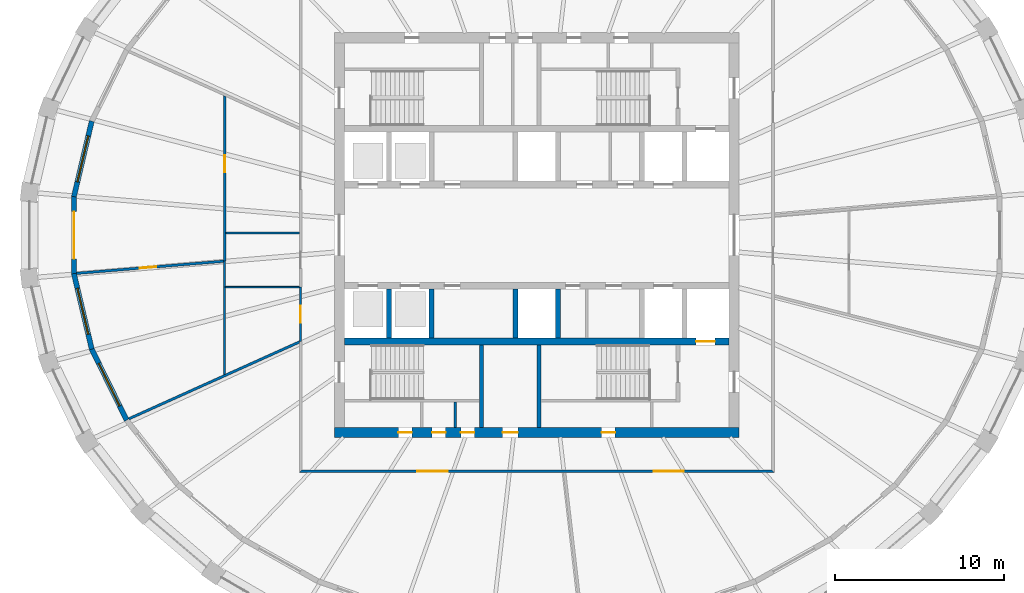
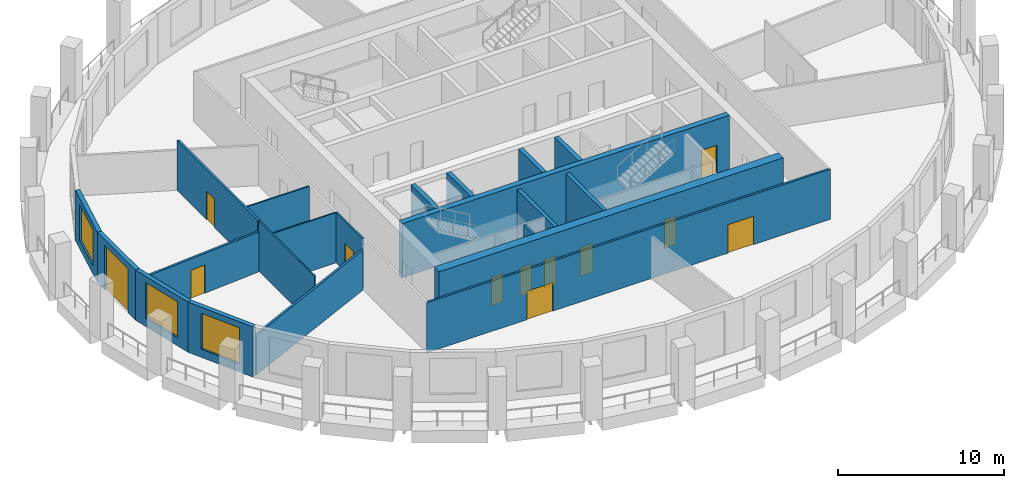
# One storey, part 3 of 10: 21 walls, 12 doors, 3 windows, 15 openings.
"""IFC4 building model written with IfcOpenShell, lengths in metres."""

from ifc_helpers import new_model, si_unit, direction, frame, frame_2d, origin, place, context, subcontext, project, spatial, polyline, rectangle, outline, extrude, material, layer, layer_set, type_object, element, fill, save


model = new_model("IFC4")

# Units and contexts
model_context = context("Model", 3, precision=1e-05, world=origin(), true_north=direction((0.0, 1.0)))
body_context = subcontext(model_context, "Body", "Model", "MODEL_VIEW")
ifc_project = project(units=[si_unit("LENGTHUNIT", "METRE"), si_unit("AREAUNIT", "SQUARE_METRE"), si_unit("VOLUMEUNIT", "CUBIC_METRE"), si_unit("PLANEANGLEUNIT", "RADIAN"), si_unit("MASSUNIT", "GRAM", prefix="KILO")], contexts=[model_context])

# Site, building, storey
site_placement = place(None, origin())
site = spatial("IfcSite", under=ifc_project, at=site_placement, CompositionType="ELEMENT")
building_placement = place(site_placement, origin())
building = spatial("IfcBuilding", under=site, at=building_placement, Name="Halqa Exchange Tower", CompositionType="ELEMENT")
storey_placement = place(building_placement, frame((0.0, 0.0, 260.300048828125)))
storey = spatial("IfcBuildingStorey", under=building, at=storey_placement, Name="L60", CompositionType="ELEMENT", Elevation=260.300048828125)

# Wall, opening, door
ifc_material_1 = material(Name="Gypsum board")
ifc_layer_1 = layer(ifc_material_1, 0.14990234375)
ifc_layer_set_1 = layer_set([ifc_layer_1], Name="Gypsum board")
wall_type_1 = type_object("IfcWallType", Name="Acoustic partition 150", PredefinedType="PARTITIONING", material=ifc_layer_set_1)
wall_1_placement = place(storey_placement, frame((-18.556396484375, -1.544677734375, 0.0), z_axis=(0.0, 0.0, 1.0), x_axis=(-0.996605565352, -0.0823246446, 0.0)))
wall_1 = element("IfcWall", 1, at=wall_1_placement, inside=storey, type_object=wall_type_1, Name="L60-PWL-004", PredefinedType="PARTITIONING", context=body_context, shape_type="SweptSolid", body=[
    extrude(outline(polyline([(8.74560546875, -0.074951171875), (8.74560546875, 0.038818359375), (8.740234375, 0.074951171875), (6.9921875, 0.074951171875), (5.244140625, 0.074951171875), (3.49609375, 0.074951171875), (1.748046875, 0.074951171875), (0.0, 0.074951171875), (0.0, -0.004638671875), (0.01806640625, -0.006103515625), (0.012451171875, -0.074951171875), (1.759033203125, -0.074951171875), (3.505615234375, -0.074951171875), (5.25244140625, -0.074951171875), (6.9990234375, -0.074951171875), (8.74560546875, -0.074951171875)])), origin(), (0.0, 0.0, 1.0), 2.947021484375),
])
opening_1_placement = place(wall_1_placement, frame((3.9990234375, 0.0, 0.0)))
opening_1 = element("IfcOpeningElement", 2, at=opening_1_placement, cuts=wall_1, Name="Opening 18-13", PredefinedType="OPENING", context=body_context, shape_type="SweptSolid", body=[
    extrude(rectangle(XDim=1.0, YDim=2.10009765625, at=frame_2d((0.5, 1.050048828125))), frame((0.0, 0.0869140625, 0.0), z_axis=(0.0, -1.0, 0.0), x_axis=(1.0, 0.0, 0.0)), (0.0, 0.0, 1.0), 0.173828125),
])
ifc_material_2 = material(Name="Timber door leaf", Category="wood")
door_type_1 = type_object("IfcDoorType", Name="Acoustic door 1000 x 2100", OperationType="SINGLE_SWING_LEFT", PredefinedType="DOOR", material=ifc_material_2)
door_1_placement = place(opening_1_placement, origin())
door_1 = element("IfcDoor", 3, at=door_1_placement, inside=storey, type_object=door_type_1, Name="L60-IDR-013", OperationType="SINGLE_SWING_LEFT", OverallHeight=2.10009765625, OverallWidth=1.0, PredefinedType="DOOR", context=body_context, shape_type="SweptSolid", body=[
    extrude(rectangle(XDim=1.0, YDim=2.10009765625, at=frame_2d((0.5, 1.050048828125))), frame((0.0, 0.02490234375, 0.0), z_axis=(0.0, -1.0, 0.0), x_axis=(1.0, 0.0, 0.0)), (0.0, 0.0, 1.0), 0.050048828125),
])
fill(opening_1, door_1)

wall_2_placement = place(storey_placement, frame((-18.5, -1.5400390625, 0.0), z_axis=(0.0, 0.0, 1.0), x_axis=(0.0, 1.0, 0.0)))
wall_2 = element("IfcWall", 4, at=wall_2_placement, inside=storey, type_object=wall_type_1, Name="L60-PWL-005", PredefinedType="PARTITIONING", context=body_context, shape_type="SweptSolid", body=[
    extrude(outline(polyline([(0.0, -0.074951171875), (1.950439453125, -0.074951171875), (3.90087890625, -0.074951171875), (5.851318359375, -0.074951171875), (7.8017578125, -0.074951171875), (9.752197265625, -0.074951171875), (9.819580078125, 0.07421875), (9.819580078125, 0.074951171875), (7.869384765625, 0.074951171875), (5.91943359375, 0.074951171875), (3.96923828125, 0.074951171875), (2.019287109375, 0.074951171875), (0.069091796875, 0.074951171875), (0.070068359375, 0.0625), (0.0, 0.056640625), (0.0, 0.050048828125), (0.0, 0.050048828125), (0.0, -0.050048828125), (0.0, -0.050048828125), (0.0, -0.074951171875)])), origin(), (0.0, 0.0, 1.0), 3.699951171875),
])
opening_2_placement = place(wall_2_placement, frame((5.27001953125, 0.0, 0.0)))
opening_2 = element("IfcOpeningElement", 5, at=opening_2_placement, cuts=wall_2, Name="Opening 18-12", PredefinedType="OPENING", context=body_context, shape_type="SweptSolid", body=[
    extrude(rectangle(XDim=1.0, YDim=2.10009765625, at=frame_2d((0.5, 1.050048828125))), frame((0.0, 0.0869140625, 0.0), z_axis=(0.0, -1.0, 0.0), x_axis=(1.0, 0.0, 0.0)), (0.0, 0.0, 1.0), 0.173828125),
])
door_2_placement = place(opening_2_placement, frame((1.0, 0.0, 0.0), z_axis=(0.0, 0.0, 1.0), x_axis=(-1.0, 0.0, 0.0)))
door_2 = element("IfcDoor", 6, at=door_2_placement, inside=storey, type_object=door_type_1, Name="L60-IDR-012", OperationType="SINGLE_SWING_LEFT", OverallHeight=2.10009765625, OverallWidth=1.0, PredefinedType="DOOR", context=body_context, shape_type="SweptSolid", body=[
    extrude(rectangle(XDim=1.0, YDim=2.10009765625, at=frame_2d((0.5, 1.050048828125))), frame((0.0, 0.02490234375, 0.0), z_axis=(0.0, -1.0, 0.0), x_axis=(1.0, 0.0, 0.0)), (0.0, 0.0, 1.0), 0.050048828125),
])
fill(opening_2, door_2)

# Wall
ifc_material_3 = material(Name="Fire-rated gypsum board")
ifc_layer_2 = layer(ifc_material_3, 0.14990234375)
ifc_layer_set_2 = layer_set([ifc_layer_2], Name="Fire-rated gypsum board")
wall_type_2 = type_object("IfcWallType", Name="Fire partition EI 60 150", PredefinedType="PARTITIONING", material=ifc_layer_set_2)
wall_3_placement = place(storey_placement, frame((-24.17626953125, -10.88671875, 0.0), z_axis=(0.0, 0.0, 1.0), x_axis=(0.9116787738, 0.410903654648, 0.0)))
element("IfcWall", 7, at=wall_3_placement, inside=storey, type_object=wall_type_2, Name="L60-PWL-001", PredefinedType="PARTITIONING", context=body_context, shape_type="SweptSolid", body=[
    extrude(outline(polyline([(0.020751953125, -0.074951171875), (1.8583984375, -0.074951171875), (3.69580078125, -0.074951171875), (5.533447265625, -0.074951171875), (7.37109375, -0.074951171875), (9.20849609375, -0.074951171875), (11.046142578125, -0.074951171875), (11.09375, 0.031005859375), (11.107421875, 0.02490234375), (11.129638671875, 0.073974609375), (11.129638671875, 0.074951171875), (9.524658203125, 0.074951171875), (7.919677734375, 0.074951171875), (6.314697265625, 0.074951171875), (6.314208984375, 0.07373046875), (6.3115234375, 0.074951171875), (4.733642578125, 0.074951171875), (3.15576171875, 0.074951171875), (1.577880859375, 0.074951171875), (0.0, 0.074951171875), (0.0, 0.0625), (0.002197265625, -0.0009765625), (0.020751953125, -0.074951171875)])), origin(), (0.0, 0.0, 1.0), 2.947021484375),
])

# Wall, openings, doors
wall_4_placement = place(storey_placement, frame((-14.074951171875, -14.0, 0.0), z_axis=(0.0, 0.0, 1.0), x_axis=(1.0, 0.0, 0.0)))
wall_4 = element("IfcWall", 8, at=wall_4_placement, inside=storey, type_object=wall_type_2, Name="L60-PWL-007", PredefinedType="PARTITIONING", context=body_context, shape_type="SweptSolid", body=[
    extrude(outline(polyline([(0.0, -0.074951171875), (1.876708984375, -0.074951171875), (3.75341796875, -0.074951171875), (5.6298828125, -0.074951171875), (7.506591796875, -0.074951171875), (9.38330078125, -0.074951171875), (11.260009765625, -0.074951171875), (13.13671875, -0.074951171875), (15.01318359375, -0.074951171875), (16.889892578125, -0.074951171875), (18.7666015625, -0.074951171875), (20.643310546875, -0.074951171875), (22.52001953125, -0.074951171875), (24.396484375, -0.074951171875), (26.273193359375, -0.074951171875), (28.14990234375, -0.074951171875), (28.0, 0.074951171875), (26.0107421875, 0.074951171875), (24.021484375, 0.074951171875), (22.0322265625, 0.074951171875), (20.042724609375, 0.074951171875), (18.053466796875, 0.074951171875), (16.064208984375, 0.074951171875), (14.074951171875, 0.074951171875), (12.085693359375, 0.074951171875), (10.096435546875, 0.074951171875), (8.107177734375, 0.074951171875), (6.11767578125, 0.074951171875), (4.12841796875, 0.074951171875), (2.13916015625, 0.074951171875), (0.14990234375, 0.074951171875), (0.0, -0.074951171875)])), origin(), (0.0, 0.0, 1.0), 3.699951171875),
])
opening_3_placement = place(wall_4_placement, frame((20.9951171875, 0.0, 0.0)))
opening_3 = element("IfcOpeningElement", 9, at=opening_3_placement, cuts=wall_4, Name="Opening 18-01", PredefinedType="OPENING", context=body_context, shape_type="SweptSolid", body=[
    extrude(rectangle(XDim=1.800048828125, YDim=2.10009765625, at=frame_2d((0.89990234375, 1.050048828125))), frame((0.0, 0.0869140625, 0.0), z_axis=(0.0, -1.0, 0.0), x_axis=(1.0, 0.0, 0.0)), (0.0, 0.0, 1.0), 0.173828125),
])
opening_4_placement = place(wall_4_placement, frame((6.9951171875, 0.0, 0.0)))
opening_4 = element("IfcOpeningElement", 10, at=opening_4_placement, cuts=wall_4, Name="Opening 18-10", PredefinedType="OPENING", context=body_context, shape_type="SweptSolid", body=[
    extrude(rectangle(XDim=1.800048828125, YDim=2.10009765625, at=frame_2d((0.89990234375, 1.050048828125))), frame((0.0, 0.0869140625, 0.0), z_axis=(0.0, -1.0, 0.0), x_axis=(1.0, 0.0, 0.0)), (0.0, 0.0, 1.0), 0.173828125),
])
ifc_material_4 = material(Name="Steel fire door leaf", Category="steel")
door_type_2 = type_object("IfcDoorType", Name="Fire door FD30S double 1800 x 2100", OperationType="DOUBLE_DOOR_SINGLE_SWING", PredefinedType="DOOR", material=ifc_material_4)
door_3_placement = place(opening_3_placement, frame((1.800048828125, 0.0, 0.0), z_axis=(0.0, 0.0, 1.0), x_axis=(-1.0, 0.0, 0.0)))
door_3 = element("IfcDoor", 11, at=door_3_placement, inside=storey, type_object=door_type_2, Name="L60-IDR-001", OperationType="DOUBLE_DOOR_SINGLE_SWING", OverallHeight=2.10009765625, OverallWidth=1.800048828125, PredefinedType="DOOR", context=body_context, shape_type="SweptSolid", body=[
    extrude(rectangle(XDim=1.800048828125, YDim=2.10009765625, at=frame_2d((0.89990234375, 1.050048828125))), frame((0.0, 0.02490234375, 0.0), z_axis=(0.0, -1.0, 0.0), x_axis=(1.0, 0.0, 0.0)), (0.0, 0.0, 1.0), 0.050048828125),
])
fill(opening_3, door_3)
door_4_placement = place(opening_4_placement, frame((1.800048828125, 0.0, 0.0), z_axis=(0.0, 0.0, 1.0), x_axis=(-1.0, 0.0, 0.0)))
door_4 = element("IfcDoor", 12, at=door_4_placement, inside=storey, type_object=door_type_2, Name="L60-IDR-010", OperationType="DOUBLE_DOOR_SINGLE_SWING", OverallHeight=2.10009765625, OverallWidth=1.800048828125, PredefinedType="DOOR", context=body_context, shape_type="SweptSolid", body=[
    extrude(rectangle(XDim=1.800048828125, YDim=2.10009765625, at=frame_2d((0.89990234375, 1.050048828125))), frame((0.0, 0.02490234375, 0.0), z_axis=(0.0, -1.0, 0.0), x_axis=(1.0, 0.0, 0.0)), (0.0, 0.0, 1.0), 0.050048828125),
])
fill(opening_4, door_4)

# Wall, opening, door
ifc_material_5 = material(Name="Fire-rated glazing", Category="glass")
ifc_layer_3 = layer(ifc_material_5, 0.1201171875)
ifc_layer_set_3 = layer_set([ifc_layer_3], Name="Fire-rated glazing")
wall_type_3 = type_object("IfcWallType", Name="Glazed fire partition EI 60 120", PredefinedType="PARTITIONING", material=ifc_layer_set_3)
wall_5_placement = place(storey_placement, frame((-14.0, -6.300048828125, 0.0), z_axis=(0.0, 0.0, 1.0), x_axis=(0.0, 1.0, 0.0)))
wall_5 = element("IfcWall", 13, at=wall_5_placement, inside=storey, type_object=wall_type_3, Name="L60-PWL-008", PredefinedType="PARTITIONING", context=body_context, shape_type="SweptSolid", body=[
    extrude(rectangle(XDim=3.219970703125, YDim=0.1201171875, at=frame_2d((1.60986328125, 0.0))), origin(), (0.0, 0.0, 1.0), 3.699951171875),
])
opening_5_placement = place(wall_5_placement, frame((1.110107421875, 0.0, 0.0)))
opening_5 = element("IfcOpeningElement", 14, at=opening_5_placement, cuts=wall_5, Name="Opening 18-09", PredefinedType="OPENING", context=body_context, shape_type="SweptSolid", body=[
    extrude(rectangle(XDim=1.0, YDim=2.10009765625, at=frame_2d((0.5, 1.050048828125))), frame((0.0, 0.072021484375, 0.0), z_axis=(0.0, -1.0, 0.0), x_axis=(1.0, 0.0, 0.0)), (0.0, 0.0, 1.0), 0.14404296875),
])
door_type_3 = type_object("IfcDoorType", Name="Fire door FD30S 1000 x 2100", OperationType="SINGLE_SWING_LEFT", PredefinedType="DOOR", material=ifc_material_4)
door_5_placement = place(opening_5_placement, origin())
door_5 = element("IfcDoor", 15, at=door_5_placement, inside=storey, type_object=door_type_3, Name="L60-IDR-009", OperationType="SINGLE_SWING_LEFT", OverallHeight=2.10009765625, OverallWidth=1.0, PredefinedType="DOOR", context=body_context, shape_type="SweptSolid", body=[
    extrude(rectangle(XDim=1.0, YDim=2.10009765625, at=frame_2d((0.5, 1.050048828125))), frame((0.0, 0.02490234375, 0.0), z_axis=(0.0, -1.0, 0.0), x_axis=(1.0, 0.0, 0.0)), (0.0, 0.0, 1.0), 0.050048828125),
])
fill(opening_5, door_5)

# Walls
ifc_layer_4 = layer(ifc_material_1, 0.10009765625)
ifc_layer_set_4 = layer_set([ifc_layer_4], Name="Gypsum board")
wall_type_4 = type_object("IfcWallType", Name="Partition 100 gypsum", PredefinedType="PARTITIONING", material=ifc_layer_set_4)
wall_6_placement = place(storey_placement, frame((-18.5, -8.26806640625, 0.0), z_axis=(0.0, 0.0, 1.0), x_axis=(0.0, 1.0, 0.0)))
element("IfcWall", 16, at=wall_6_placement, inside=storey, type_object=wall_type_4, Name="L60-PWL-003", PredefinedType="PARTITIONING", context=body_context, shape_type="SweptSolid", body=[
    extrude(outline(polyline([(0.044677734375, -0.050048828125), (1.742431640625, -0.050048828125), (3.440185546875, -0.050048828125), (5.13818359375, -0.050048828125), (5.13818359375, -0.050048828125), (5.238037109375, -0.050048828125), (5.238037109375, -0.050048828125), (6.72802734375, -0.050048828125), (6.72802734375, 0.050048828125), (5.0458984375, 0.050048828125), (3.364013671875, 0.050048828125), (1.68212890625, 0.050048828125), (0.0, 0.050048828125), (0.0, 0.048828125), (0.044677734375, -0.050048828125)])), origin(), (0.0, 0.0, 1.0), 3.699951171875),
])
wall_7_placement = place(storey_placement, frame((-14.060546875, -3.080078125, 0.0), z_axis=(0.0, 0.0, 1.0), x_axis=(-1.0, 0.0, 0.0)))
element("IfcWall", 17, at=wall_7_placement, inside=storey, type_object=wall_type_4, Name="L60-PWL-009", PredefinedType="PARTITIONING", context=body_context, shape_type="SweptSolid", body=[
    extrude(outline(polyline([(0.0, 0.050048828125), (0.0, 0.0), (0.014404296875, 0.0), (0.014404296875, -0.050048828125), (1.47265625, -0.050048828125), (2.93115234375, -0.050048828125), (4.389404296875, -0.050048828125), (4.389404296875, 0.050048828125), (2.92626953125, 0.050048828125), (1.463134765625, 0.050048828125), (0.0, 0.050048828125)])), origin(), (0.0, 0.0, 1.0), 3.699951171875),
])
wall_8_placement = place(storey_placement, frame((-14.074951171875, 0.1298828125, 0.0), z_axis=(0.0, 0.0, 1.0), x_axis=(-1.0, 0.0, 0.0)))
element("IfcWall", 18, at=wall_8_placement, inside=storey, type_object=wall_type_4, Name="L60-PWL-011", PredefinedType="PARTITIONING", context=body_context, shape_type="SweptSolid", body=[
    extrude(rectangle(XDim=4.35009765625, YDim=0.10009765625, at=frame_2d((2.175048828125, 0.0))), origin(), (0.0, 0.0, 1.0), 3.699951171875),
])
ifc_layer_5 = layer(ifc_material_1, 0.14990234375)
ifc_layer_set_5 = layer_set([ifc_layer_5], Name="Gypsum board")
wall_type_5 = type_object("IfcWallType", Name="Penthouse riser wall 150 gypsum", PredefinedType="PARTITIONING", material=ifc_layer_set_5)
wall_9_placement = place(storey_placement, frame((-4.824951171875, -11.39990234375, 0.0), z_axis=(0.0, 0.0, 1.0), x_axis=(0.0, 1.0, 0.0)))
element("IfcWall", 19, at=wall_9_placement, inside=storey, type_object=wall_type_5, Name="Partition W4.825 S", PredefinedType="PARTITIONING", context=body_context, shape_type="SweptSolid", body=[
    extrude(rectangle(XDim=1.5, YDim=0.14990234375, at=frame_2d((0.75, 0.0))), origin(), (0.0, 0.0, 1.0), 3.699951171875),
])
ifc_material_6 = material(Name="Concrete C60/75", Category="concrete")
ifc_layer_6 = layer(ifc_material_6, 0.300048828125)
ifc_layer_set_6 = layer_set([ifc_layer_6], Name="Concrete C60/75")
wall_type_6 = type_object("IfcWallType", Name="RC core wall 300", PredefinedType="SHEAR", material=ifc_layer_set_6)
for number, where, z_axis, x_axis, name in (
    (20, (-8.75, -6.10009765625, 0.0), (0.0, 0.0, 1.0), (0.0, 1.0, 0.0), "Shaft divider S1"),
    (21, (-6.25, -6.10009765625, 0.0), (0.0, 0.0, 1.0), (0.0, 1.0, 0.0), "Shaft divider S2"),
    (22, (-1.25, -6.10009765625, 0.0), (0.0, 0.0, 1.0), (0.0, 1.0, 0.0), "Shaft divider S4"),
    (23, (1.25, -6.10009765625, 0.0), (0.0, 0.0, 1.0), (0.0, 1.0, 0.0), "Shaft divider S5"),
):
    element("IfcWall", number, at=place(storey_placement, frame(where, z_axis=z_axis, x_axis=x_axis)), inside=storey, type_object=wall_type_6, Name=name, PredefinedType="SHEAR", context=body_context, shape_type="SweptSolid", body=[
        extrude(rectangle(XDim=2.900146484375, YDim=0.300048828125, at=frame_2d((1.4501953125, 0.0))), origin(), (0.0, 0.0, 1.0), 4.0),
    ])

# Wall, opening, door
ifc_layer_7 = layer(ifc_material_6, 0.39990234375)
ifc_layer_set_7 = layer_set([ifc_layer_7], Name="Concrete C60/75")
wall_type_7 = type_object("IfcWallType", Name="RC core wall 400 C60/75", PredefinedType="SHEAR", material=ifc_layer_set_7)
wall_10_placement = place(storey_placement, frame((-11.39990234375, -6.300048828125, 0.0), z_axis=(0.0, 0.0, 1.0), x_axis=(1.0, 0.0, 0.0)))
wall_10 = element("IfcWall", 24, at=wall_10_placement, inside=storey, type_object=wall_type_7, Name="Lift row back wall S", PredefinedType="SHEAR", context=body_context, shape_type="SweptSolid", body=[
    extrude(rectangle(XDim=22.7998046875, YDim=0.39990234375, at=frame_2d((11.39990234375, 0.0))), origin(), (0.0, 0.0, 1.0), 4.0),
])
opening_6_placement = place(wall_10_placement, frame((20.85009765625, 0.0, 0.0)))
opening_6 = element("IfcOpeningElement", 25, at=opening_6_placement, cuts=wall_10, Name="Opening LD-FF2-T18", PredefinedType="OPENING", context=body_context, shape_type="SweptSolid", body=[
    extrude(rectangle(XDim=1.10009765625, YDim=2.10009765625, at=frame_2d((0.550048828125, 1.050048828125))), frame((0.0, 0.2119140625, 0.0), z_axis=(0.0, -1.0, 0.0), x_axis=(1.0, 0.0, 0.0)), (0.0, 0.0, 1.0), 0.423828125),
])
ifc_material_7 = material(Name="Stainless steel", Category="steel")
door_type_4 = type_object("IfcDoorType", Name="Lift landing door 1100 x 2100", OperationType="SLIDING_TO_LEFT", PredefinedType="DOOR", material=ifc_material_7)
door_6_placement = place(opening_6_placement, origin())
door_6 = element("IfcDoor", 26, at=door_6_placement, inside=storey, type_object=door_type_4, Name="Lift landing door FF2", OperationType="SLIDING_TO_LEFT", OverallHeight=2.10009765625, OverallWidth=1.10009765625, PredefinedType="DOOR", context=body_context, shape_type="SweptSolid", body=[
    extrude(rectangle(XDim=1.10009765625, YDim=2.10009765625, at=frame_2d((0.550048828125, 1.050048828125))), frame((0.0, 0.02490234375, 0.0), z_axis=(0.0, -1.0, 0.0), x_axis=(1.0, 0.0, 0.0)), (0.0, 0.0, 1.0), 0.050048828125),
])
fill(opening_6, door_6)

# Wall, openings, doors
ifc_layer_8 = layer(ifc_material_6, 0.60009765625)
ifc_layer_set_8 = layer_set([ifc_layer_8], Name="Concrete C60/75")
wall_type_8 = type_object("IfcWallType", Name="RC core wall 600 C60/75", PredefinedType="SHEAR", material=ifc_layer_set_8)
wall_11_placement = place(storey_placement, frame((-12.0, -11.699951171875, 0.0), z_axis=(0.0, 0.0, 1.0), x_axis=(1.0, 0.0, 0.0)))
wall_11 = element("IfcWall", 27, at=wall_11_placement, inside=storey, type_object=wall_type_8, Name="Core wall south", PredefinedType="SHEAR", context=body_context, shape_type="SweptSolid", body=[
    extrude(rectangle(XDim=24.0, YDim=0.60009765625, at=frame_2d((12.0, 0.0))), origin(), (0.0, 0.0, 1.0), 4.0),
])
opening_7_placement = place(wall_11_placement, frame((9.97509765625, 0.0, 0.0)))
opening_7 = element("IfcOpeningElement", 28, at=opening_7_placement, cuts=wall_11, Name="Opening T18-C22", PredefinedType="OPENING", context=body_context, shape_type="SweptSolid", body=[
    extrude(rectangle(XDim=0.89990234375, YDim=2.10009765625, at=frame_2d((0.449951171875, 1.050048828125))), frame((0.0, 0.31201171875, 0.0), z_axis=(0.0, -1.0, 0.0), x_axis=(1.0, 0.0, 0.0)), (0.0, 0.0, 1.0), 0.6240234375),
])
opening_8_placement = place(wall_11_placement, frame((3.800048828125, 0.0, 0.0)))
opening_8 = element("IfcOpeningElement", 29, at=opening_8_placement, cuts=wall_11, Name="Opening T18-C23", PredefinedType="OPENING", context=body_context, shape_type="SweptSolid", body=[
    extrude(rectangle(XDim=0.800048828125, YDim=2.10009765625, at=frame_2d((0.39990234375, 1.050048828125))), frame((0.0, 0.31201171875, 0.0), z_axis=(0.0, -1.0, 0.0), x_axis=(1.0, 0.0, 0.0)), (0.0, 0.0, 1.0), 0.6240234375),
])
opening_9_placement = place(wall_11_placement, frame((5.800048828125, 0.0, 0.0)))
opening_9 = element("IfcOpeningElement", 30, at=opening_9_placement, cuts=wall_11, Name="Opening T18-C24", PredefinedType="OPENING", context=body_context, shape_type="SweptSolid", body=[
    extrude(rectangle(XDim=0.800048828125, YDim=2.10009765625, at=frame_2d((0.39990234375, 1.050048828125))), frame((0.0, 0.31201171875, 0.0), z_axis=(0.0, -1.0, 0.0), x_axis=(1.0, 0.0, 0.0)), (0.0, 0.0, 1.0), 0.6240234375),
])
opening_10_placement = place(wall_11_placement, frame((7.5, 0.0, 0.0)))
opening_10 = element("IfcOpeningElement", 31, at=opening_10_placement, cuts=wall_11, Name="Opening T18-C25", PredefinedType="OPENING", context=body_context, shape_type="SweptSolid", body=[
    extrude(rectangle(XDim=0.800048828125, YDim=2.10009765625, at=frame_2d((0.39990234375, 1.050048828125))), frame((0.0, 0.31201171875, 0.0), z_axis=(0.0, -1.0, 0.0), x_axis=(1.0, 0.0, 0.0)), (0.0, 0.0, 1.0), 0.6240234375),
])
opening_11_placement = place(wall_11_placement, frame((15.85009765625, 0.0, 0.0)))
opening_11 = element("IfcOpeningElement", 32, at=opening_11_placement, cuts=wall_11, Name="Opening T18-C26", PredefinedType="OPENING", context=body_context, shape_type="SweptSolid", body=[
    extrude(rectangle(XDim=0.800048828125, YDim=2.10009765625, at=frame_2d((0.39990234375, 1.050048828125))), frame((0.0, 0.31201171875, 0.0), z_axis=(0.0, -1.0, 0.0), x_axis=(1.0, 0.0, 0.0)), (0.0, 0.0, 1.0), 0.6240234375),
])
ifc_material_8 = material(Name="Timber fire door leaf", Category="wood")
door_type_5 = type_object("IfcDoorType", Name="Core room door FD30 900 x 2100", OperationType="SINGLE_SWING_LEFT", PredefinedType="DOOR", material=ifc_material_8)
door_7_placement = place(opening_7_placement, origin())
door_7 = element("IfcDoor", 33, at=door_7_placement, inside=storey, type_object=door_type_5, Name="Core room door", OperationType="SINGLE_SWING_RIGHT", OverallHeight=2.10009765625, OverallWidth=0.89990234375, PredefinedType="DOOR", context=body_context, shape_type="SweptSolid", body=[
    extrude(rectangle(XDim=0.89990234375, YDim=2.10009765625, at=frame_2d((0.449951171875, 1.050048828125))), frame((0.0, 0.02490234375, 0.0), z_axis=(0.0, -1.0, 0.0), x_axis=(1.0, 0.0, 0.0)), (0.0, 0.0, 1.0), 0.050048828125),
])
fill(opening_7, door_7)
door_type_6 = type_object("IfcDoorType", Name="Riser door FD60 800 x 2100", OperationType="SINGLE_SWING_LEFT", PredefinedType="DOOR", material=ifc_material_4)
door_8_placement = place(opening_8_placement, origin())
door_8 = element("IfcDoor", 34, at=door_8_placement, inside=storey, type_object=door_type_6, Name="Core room door", OperationType="SINGLE_SWING_LEFT", OverallHeight=2.10009765625, OverallWidth=0.800048828125, PredefinedType="DOOR", context=body_context, shape_type="SweptSolid", body=[
    extrude(rectangle(XDim=0.800048828125, YDim=2.10009765625, at=frame_2d((0.39990234375, 1.050048828125))), frame((0.0, 0.02490234375, 0.0), z_axis=(0.0, -1.0, 0.0), x_axis=(1.0, 0.0, 0.0)), (0.0, 0.0, 1.0), 0.050048828125),
])
fill(opening_8, door_8)
door_9_placement = place(opening_9_placement, origin())
door_9 = element("IfcDoor", 35, at=door_9_placement, inside=storey, type_object=door_type_6, Name="Core room door", OperationType="SINGLE_SWING_LEFT", OverallHeight=2.10009765625, OverallWidth=0.800048828125, PredefinedType="DOOR", context=body_context, shape_type="SweptSolid", body=[
    extrude(rectangle(XDim=0.800048828125, YDim=2.10009765625, at=frame_2d((0.39990234375, 1.050048828125))), frame((0.0, 0.02490234375, 0.0), z_axis=(0.0, -1.0, 0.0), x_axis=(1.0, 0.0, 0.0)), (0.0, 0.0, 1.0), 0.050048828125),
])
fill(opening_9, door_9)
door_10_placement = place(opening_10_placement, origin())
door_10 = element("IfcDoor", 36, at=door_10_placement, inside=storey, type_object=door_type_6, Name="Core room door", OperationType="SINGLE_SWING_LEFT", OverallHeight=2.10009765625, OverallWidth=0.800048828125, PredefinedType="DOOR", context=body_context, shape_type="SweptSolid", body=[
    extrude(rectangle(XDim=0.800048828125, YDim=2.10009765625, at=frame_2d((0.39990234375, 1.050048828125))), frame((0.0, 0.02490234375, 0.0), z_axis=(0.0, -1.0, 0.0), x_axis=(1.0, 0.0, 0.0)), (0.0, 0.0, 1.0), 0.050048828125),
])
fill(opening_10, door_10)
door_11_placement = place(opening_11_placement, origin())
door_11 = element("IfcDoor", 37, at=door_11_placement, inside=storey, type_object=door_type_6, Name="Core room door", OperationType="SINGLE_SWING_LEFT", OverallHeight=2.10009765625, OverallWidth=0.800048828125, PredefinedType="DOOR", context=body_context, shape_type="SweptSolid", body=[
    extrude(rectangle(XDim=0.800048828125, YDim=2.10009765625, at=frame_2d((0.39990234375, 1.050048828125))), frame((0.0, 0.02490234375, 0.0), z_axis=(0.0, -1.0, 0.0), x_axis=(1.0, 0.0, 0.0)), (0.0, 0.0, 1.0), 0.050048828125),
])
fill(opening_11, door_11)

# Walls
ifc_material_9 = material(Name="Concrete C30/37", Category="concrete")
ifc_layer_9 = layer(ifc_material_9, 0.25)
ifc_layer_set_9 = layer_set([ifc_layer_9], Name="Concrete C30/37")
wall_type_9 = type_object("IfcWallType", Name="RC stair wall 250 C30/37", PredefinedType="SHEAR", material=ifc_layer_set_9)
for number, where, z_axis, x_axis, name in (
    (38, (-3.27490234375, -11.39990234375, 0.0), (0.0, 0.0, 1.0), (0.0, 1.0, 0.0), "Stair ST1 east wall S"),
    (39, (0.125, -11.39990234375, 0.0), (0.0, 0.0, 1.0), (0.0, 1.0, 0.0), "Stair ST2 west wall S"),
):
    element("IfcWall", number, at=place(storey_placement, frame(where, z_axis=z_axis, x_axis=x_axis)), inside=storey, type_object=wall_type_9, Name=name, PredefinedType="SHEAR", context=body_context, shape_type="SweptSolid", body=[
        extrude(rectangle(XDim=4.89990234375, YDim=0.25, at=frame_2d((2.449951171875, 0.0))), origin(), (0.0, 0.0, 1.0), 3.699951171875),
    ])

# Wall, opening, window
ifc_material_10 = material(Name="Limestone cladding", Category="masonry")
ifc_layer_10 = layer(ifc_material_10, 0.0400390625)
ifc_material_11 = material(Name="Ventilated cavity")
ifc_layer_11 = layer(ifc_material_11, 0.030029296875, ventilated=True)
ifc_material_12 = material(Name="Mineral wool insulation")
ifc_layer_12 = layer(ifc_material_12, 0.10009765625)
ifc_layer_13 = layer(ifc_material_9, 0.10009765625)
ifc_material_13 = material(Name="Internal plaster")
ifc_layer_14 = layer(ifc_material_13, 0.030029296875)
ifc_layer_set_10 = layer_set([ifc_layer_10, ifc_layer_11, ifc_layer_12, ifc_layer_13, ifc_layer_14], Name="Stone-faced insulated wall 300")
wall_type_10 = type_object("IfcWallType", Name="Stone-faced insulated wall 300", PredefinedType="STANDARD", material=ifc_layer_set_10)
wall_12_placement = place(storey_placement, frame((-26.372314453125, 6.7548828125, 0.0), z_axis=(0.0, 0.0, 1.0), x_axis=(-0.229767529411, -0.973245540667, 0.0)))
wall_12 = element("IfcWall", 40, at=wall_12_placement, inside=storey, type_object=wall_type_10, Name="Glass-line wall 15", PredefinedType="STANDARD", context=body_context, shape_type="SweptSolid", body=[
    extrude(outline(polyline([(-0.016845703125, -0.14990234375), (4.6142578125, -0.14990234375), (4.5791015625, 0.14990234375), (0.016845703125, 0.14990234375), (-0.016845703125, -0.14990234375)])), origin(), (0.0, 0.0, 1.0), 3.699951171875),
])
opening_12_placement = place(wall_12_placement, frame((0.8984375, 0.0, 0.60009765625)))
opening_12 = element("IfcOpeningElement", 41, at=opening_12_placement, cuts=wall_12, Name="Opening W-F4-15", PredefinedType="OPENING", context=body_context, shape_type="SweptSolid", body=[
    extrude(rectangle(XDim=2.800048828125, YDim=2.64990234375, at=frame_2d((1.39990234375, 1.324951171875))), frame((0.0, 0.162109375, 0.0), z_axis=(0.0, -1.0, 0.0), x_axis=(1.0, 0.0, 0.0)), (0.0, 0.0, 1.0), 0.323974609375),
])
ifc_material_14 = material(Name="Clear low-emissivity glass in aluminium frame", Category="aluminium")
window_type = type_object("IfcWindowType", Name="Fixed clear glazed window 2800 x 2650", PartitioningType="DOUBLE_PANEL_VERTICAL", PredefinedType="WINDOW", material=ifc_material_14)
window_1_placement = place(opening_12_placement, origin())
window_1 = element("IfcWindow", 42, at=window_1_placement, inside=storey, type_object=window_type, Name="Window 4", OverallHeight=2.64990234375, OverallWidth=2.800048828125, PartitioningType="DOUBLE_PANEL_VERTICAL", PredefinedType="WINDOW", context=body_context, shape_type="SweptSolid", body=[
    extrude(rectangle(XDim=2.800048828125, YDim=2.64990234375, at=frame_2d((1.39990234375, 1.324951171875))), frame((0.0, 0.030029296875, 0.0), z_axis=(0.0, -1.0, 0.0), x_axis=(1.0, 0.0, 0.0)), (0.0, 0.0, 1.0), 0.06005859375),
])
fill(opening_12, window_1)

# Wall, opening, door
wall_13_placement = place(storey_placement, frame((-27.428466796875, 2.28125, 0.0), z_axis=(0.0, 0.0, 1.0), x_axis=(0.0, -1.0, 0.0)))
wall_13 = element("IfcWall", 43, at=wall_13_placement, inside=storey, type_object=wall_type_10, Name="Glass-line wall 16", PredefinedType="STANDARD", context=body_context, shape_type="SweptSolid", body=[
    extrude(outline(polyline([(-0.017578125, -0.14990234375), (4.580078125, -0.14990234375), (4.544921875, 0.14990234375), (0.017578125, 0.14990234375), (-0.017578125, -0.14990234375)])), origin(), (0.0, 0.0, 1.0), 3.699951171875),
])
opening_13_placement = place(wall_13_placement, frame((0.881103515625, 0.0, 0.0)))
opening_13 = element("IfcOpeningElement", 44, at=opening_13_placement, cuts=wall_13, Name="Opening LG-F4-04", PredefinedType="OPENING", context=body_context, shape_type="SweptSolid", body=[
    extrude(rectangle(XDim=2.800048828125, YDim=3.25, at=frame_2d((1.39990234375, 1.625))), frame((0.0, 0.162109375, 0.0), z_axis=(0.0, -1.0, 0.0), x_axis=(1.0, 0.0, 0.0)), (0.0, 0.0, 1.0), 0.323974609375),
])
door_type_7 = type_object("IfcDoorType", Name="Glazed sliding loggia door 2800 x 3250", OperationType="DOUBLE_DOOR_SLIDING", PredefinedType="DOOR", material=ifc_material_14)
door_12_placement = place(opening_13_placement, origin())
door_12 = element("IfcDoor", 45, at=door_12_placement, inside=storey, type_object=door_type_7, Name="Loggia door 4", OperationType="DOUBLE_DOOR_SLIDING", OverallHeight=3.25, OverallWidth=2.800048828125, PredefinedType="DOOR", context=body_context, shape_type="SweptSolid", body=[
    extrude(rectangle(XDim=2.800048828125, YDim=3.25, at=frame_2d((1.39990234375, 1.625))), frame((0.0, 0.02490234375, 0.0), z_axis=(0.0, -1.0, 0.0), x_axis=(1.0, 0.0, 0.0)), (0.0, 0.0, 1.0), 0.050048828125),
])
fill(opening_13, door_12)

# Wall, opening, window
wall_14_placement = place(storey_placement, frame((-27.428466796875, -2.28125, 0.0), z_axis=(0.0, 0.0, 1.0), x_axis=(0.229767529411, -0.973245540667, 0.0)))
wall_14 = element("IfcWall", 46, at=wall_14_placement, inside=storey, type_object=wall_type_10, Name="Glass-line wall 17", PredefinedType="STANDARD", context=body_context, shape_type="SweptSolid", body=[
    extrude(outline(polyline([(-0.017578125, -0.14990234375), (4.613525390625, -0.14990234375), (4.579833984375, 0.14990234375), (0.017578125, 0.14990234375), (-0.017578125, -0.14990234375)])), origin(), (0.0, 0.0, 1.0), 3.699951171875),
])
opening_14_placement = place(wall_14_placement, frame((0.8984375, 0.0, 0.60009765625)))
opening_14 = element("IfcOpeningElement", 47, at=opening_14_placement, cuts=wall_14, Name="Opening W-F4-17", PredefinedType="OPENING", context=body_context, shape_type="SweptSolid", body=[
    extrude(rectangle(XDim=2.800048828125, YDim=2.64990234375, at=frame_2d((1.39990234375, 1.324951171875))), frame((0.0, 0.162109375, 0.0), z_axis=(0.0, -1.0, 0.0), x_axis=(1.0, 0.0, 0.0)), (0.0, 0.0, 1.0), 0.323974609375),
])
window_2_placement = place(opening_14_placement, origin())
window_2 = element("IfcWindow", 48, at=window_2_placement, inside=storey, type_object=window_type, Name="Window 4", OverallHeight=2.64990234375, OverallWidth=2.800048828125, PartitioningType="DOUBLE_PANEL_VERTICAL", PredefinedType="WINDOW", context=body_context, shape_type="SweptSolid", body=[
    extrude(rectangle(XDim=2.800048828125, YDim=2.64990234375, at=frame_2d((1.39990234375, 1.324951171875))), frame((0.0, 0.030029296875, 0.0), z_axis=(0.0, -1.0, 0.0), x_axis=(1.0, 0.0, 0.0)), (0.0, 0.0, 1.0), 0.06005859375),
])
fill(opening_14, window_2)

wall_15_placement = place(storey_placement, frame((-26.372314453125, -6.7548828125, 0.0), z_axis=(0.0, 0.0, 1.0), x_axis=(0.441169971308, -0.89742356578, 0.0)))
wall_15 = element("IfcWall", 49, at=wall_15_placement, inside=storey, type_object=wall_type_10, Name="Glass-line wall 18", PredefinedType="STANDARD", context=body_context, shape_type="SweptSolid", body=[
    extrude(outline(polyline([(-0.016845703125, -0.14990234375), (4.7099609375, -0.14990234375), (4.677734375, 0.14990234375), (0.016845703125, 0.14990234375), (-0.016845703125, -0.14990234375)])), origin(), (0.0, 0.0, 1.0), 3.699951171875),
])
opening_15_placement = place(wall_15_placement, frame((0.947021484375, 0.0, 0.60009765625)))
opening_15 = element("IfcOpeningElement", 50, at=opening_15_placement, cuts=wall_15, Name="Opening W-F4-18", PredefinedType="OPENING", context=body_context, shape_type="SweptSolid", body=[
    extrude(rectangle(XDim=2.800048828125, YDim=2.64990234375, at=frame_2d((1.39990234375, 1.324951171875))), frame((0.0, 0.162109375, 0.0), z_axis=(0.0, -1.0, 0.0), x_axis=(1.0, 0.0, 0.0)), (0.0, 0.0, 1.0), 0.323974609375),
])
window_3_placement = place(opening_15_placement, origin())
window_3 = element("IfcWindow", 51, at=window_3_placement, inside=storey, type_object=window_type, Name="Window 4", OverallHeight=2.64990234375, OverallWidth=2.800048828125, PartitioningType="DOUBLE_PANEL_VERTICAL", PredefinedType="WINDOW", context=body_context, shape_type="SweptSolid", body=[
    extrude(rectangle(XDim=2.800048828125, YDim=2.64990234375, at=frame_2d((1.39990234375, 1.324951171875))), frame((0.0, 0.030029296875, 0.0), z_axis=(0.0, -1.0, 0.0), x_axis=(1.0, 0.0, 0.0)), (0.0, 0.0, 1.0), 0.06005859375),
])
fill(opening_15, window_3)

save(model, "model.ifc")
